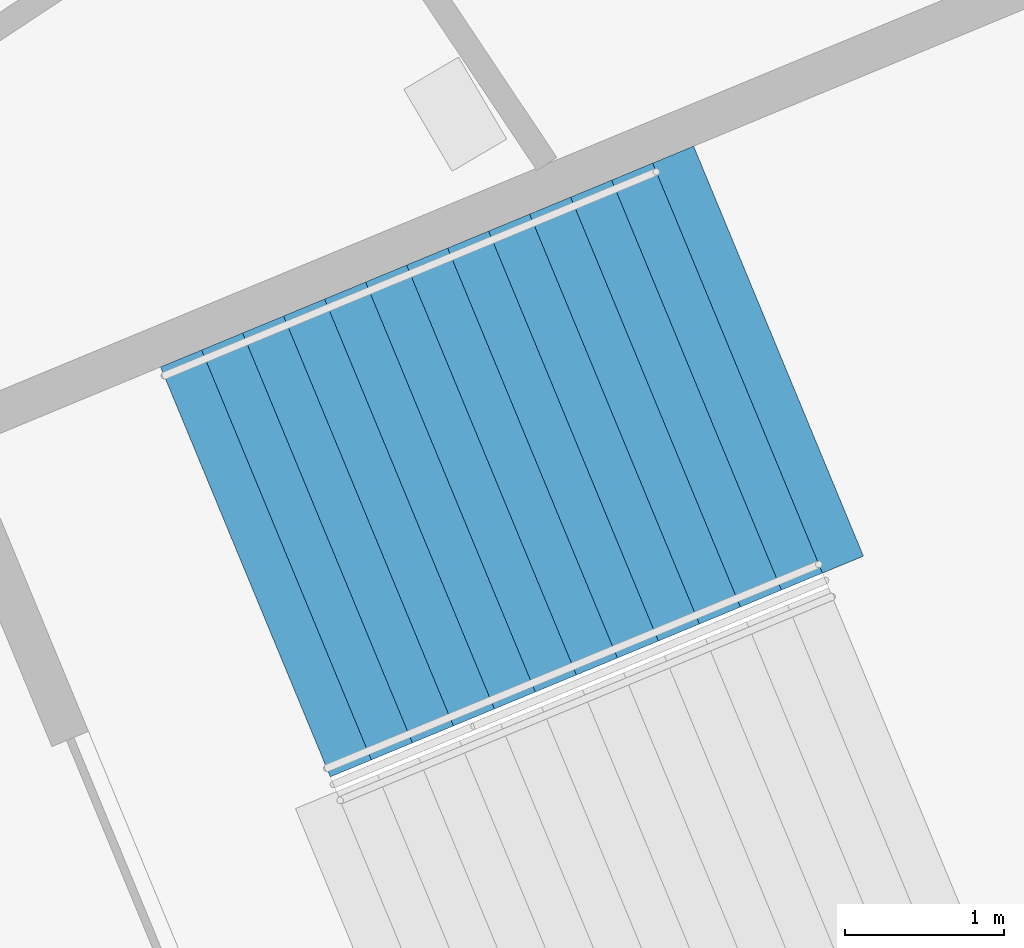
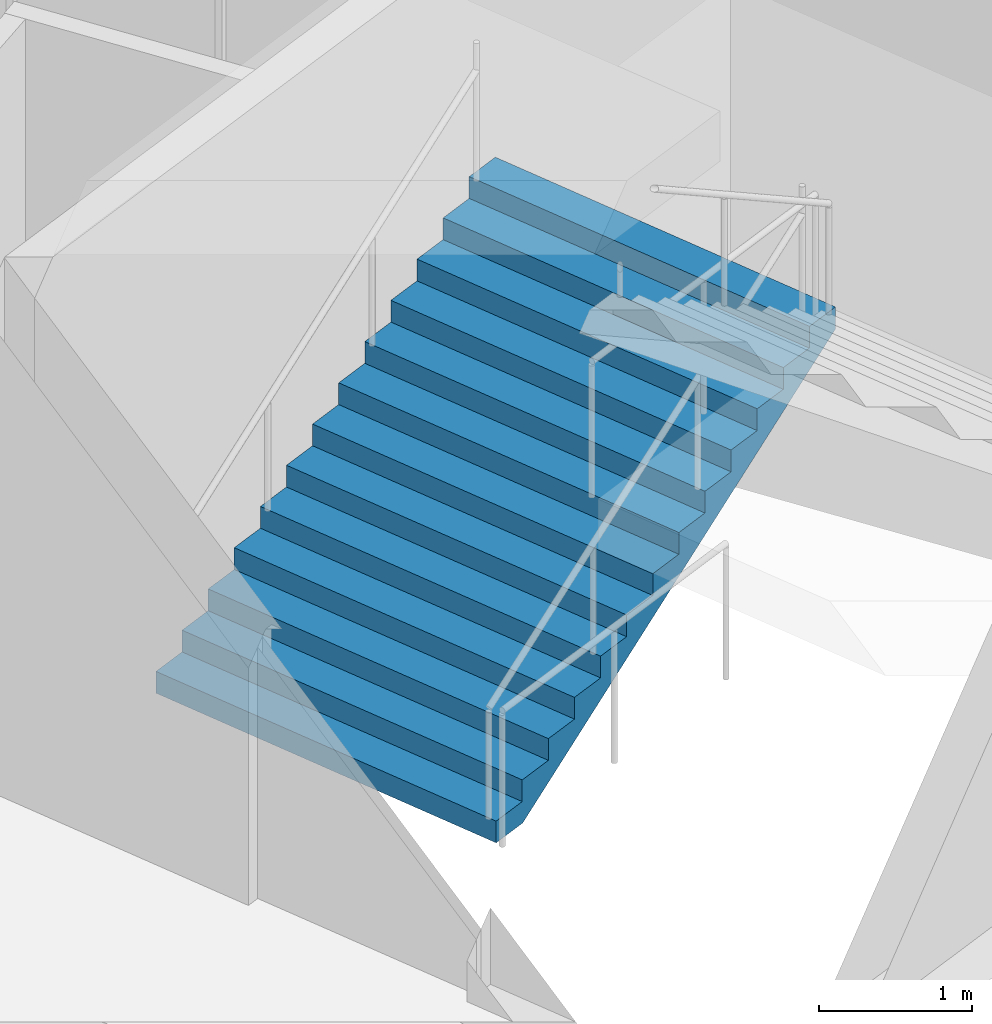
# One storey, part 158 of 177: 1 stair flight, 1 element without a shape of its own.
"""IFC4 building model written with IfcOpenShell, lengths in metres."""

from ifc_helpers import new_model, si_unit, direction, frame, origin, place, context, subcontext, project, spatial, faceted_brep, material, type_object, element, aggregate, save


model = new_model("IFC4")

# Units and contexts
model_context = context("Model", 3, precision=1e-05, world=origin(), true_north=direction((0.0, 1.0)))
body_context = subcontext(model_context, "Body", "Model", "MODEL_VIEW")
ifc_project = project(units=[si_unit("LENGTHUNIT", "METRE"), si_unit("AREAUNIT", "SQUARE_METRE"), si_unit("VOLUMEUNIT", "CUBIC_METRE"), si_unit("PLANEANGLEUNIT", "RADIAN"), si_unit("MASSUNIT", "GRAM", prefix="KILO")], contexts=[model_context])

# Site, building, storey
site_placement = place(None, origin())
site = spatial("IfcSite", under=ifc_project, at=site_placement, CompositionType="ELEMENT")
building_placement = place(site_placement, origin())
building = spatial("IfcBuilding", under=site, at=building_placement, Name="Ogive Plaza Stadium", CompositionType="ELEMENT")
storey_placement = place(building_placement, frame((0.0, 0.0, 18.0)))
storey = spatial("IfcBuildingStorey", under=building, at=storey_placement, Name="L04", CompositionType="ELEMENT", Elevation=18.0)

# Stair, stair flight
ifc_material_1 = material(Name="Concrete C40/50", Category="concrete")
stair_type = type_object("IfcStairType", Name="Exit stair", PredefinedType="STRAIGHT_RUN_STAIR", material=ifc_material_1)
stair_placement = place(storey_placement, origin())
stair = element("IfcStair", 1, at=stair_placement, inside=storey, type_object=stair_type, Name="Exit stair ST40B L04 to L05", PredefinedType="STRAIGHT_RUN_STAIR")
ifc_material_2 = material(Name="Concrete C40/50", Category="concrete")
stair_flight_type = type_object("IfcStairFlightType", Name="Exit stair flight", PredefinedType="STRAIGHT", material=ifc_material_2)
stair_flight_placement = place(storey_placement, frame((71.432861328125, 72.794921875, 0.0), z_axis=(0.0, 0.0, 1.0), x_axis=(0.923879532511, 0.382683432365, 0.0)))
stair_flight = element("IfcStairFlight", 2, at=stair_flight_placement, type_object=stair_flight_type, Name="ST40B flight 1", NumberOfRisers=13, NumberOfTreads=12, PredefinedType="STRAIGHT", RiserHeight=0.173076923, TreadLength=0.28, context=body_context, shape_type="Brep", body=[
    faceted_brep([(0.28515625, -1.39990234375, 0.0), (3.639892578125, -1.39990234375, 2.07373046875), (3.639892578125, -1.39990234375, 2.25), (3.360107421875, -1.39990234375, 2.25), (3.360107421875, -1.39990234375, 2.076904296875), (3.080078125, -1.39990234375, 2.076904296875), (3.080078125, -1.39990234375, 1.90380859375), (2.800048828125, -1.39990234375, 1.90380859375), (2.800048828125, -1.39990234375, 1.730712890625), (2.52001953125, -1.39990234375, 1.730712890625), (2.52001953125, -1.39990234375, 1.5576171875), (2.239990234375, -1.39990234375, 1.5576171875), (2.239990234375, -1.39990234375, 1.384521484375), (1.9599609375, -1.39990234375, 1.384521484375), (1.9599609375, -1.39990234375, 1.21142578125), (1.679931640625, -1.39990234375, 1.21142578125), (1.679931640625, -1.39990234375, 1.03857421875), (1.39990234375, -1.39990234375, 1.03857421875), (1.39990234375, -1.39990234375, 0.865478515625), (1.1201171875, -1.39990234375, 0.865478515625), (1.1201171875, -1.39990234375, 0.6923828125), (0.840087890625, -1.39990234375, 0.6923828125), (0.840087890625, -1.39990234375, 0.519287109375), (0.56005859375, -1.39990234375, 0.519287109375), (0.56005859375, -1.39990234375, 0.34619140625), (0.280029296875, -1.39990234375, 0.34619140625), (0.280029296875, -1.39990234375, 0.173095703125), (0.0, -1.39990234375, 0.173095703125), (0.0, -1.39990234375, 0.0), (0.0, 1.39990234375, 0.0), (0.0, 1.39990234375, 0.173095703125), (0.280029296875, 1.39990234375, 0.173095703125), (0.280029296875, 1.39990234375, 0.34619140625), (0.56005859375, 1.39990234375, 0.34619140625), (0.56005859375, 1.39990234375, 0.519287109375), (0.840087890625, 1.39990234375, 0.519287109375), (0.840087890625, 1.39990234375, 0.6923828125), (1.1201171875, 1.39990234375, 0.6923828125), (1.1201171875, 1.39990234375, 0.865478515625), (1.39990234375, 1.39990234375, 0.865478515625), (1.39990234375, 1.39990234375, 1.03857421875), (1.679931640625, 1.39990234375, 1.03857421875), (1.679931640625, 1.39990234375, 1.21142578125), (1.9599609375, 1.39990234375, 1.21142578125), (1.9599609375, 1.39990234375, 1.384521484375), (2.239990234375, 1.39990234375, 1.384521484375), (2.239990234375, 1.39990234375, 1.5576171875), (2.52001953125, 1.39990234375, 1.5576171875), (2.52001953125, 1.39990234375, 1.730712890625), (2.800048828125, 1.39990234375, 1.730712890625), (2.800048828125, 1.39990234375, 1.90380859375), (3.080078125, 1.39990234375, 1.90380859375), (3.080078125, 1.39990234375, 2.076904296875), (3.360107421875, 1.39990234375, 2.076904296875), (3.360107421875, 1.39990234375, 2.25), (3.639892578125, 1.39990234375, 2.25), (3.639892578125, 1.39990234375, 2.07373046875), (0.28515625, 1.39990234375, 0.0), (0.28515625, -1.0888671875, 0.0), (3.639892578125, -1.0888671875, 2.07373046875), (0.28515625, -0.77783203125, 0.0), (3.639892578125, -0.77783203125, 2.07373046875), (0.28515625, -0.466796875, 0.0), (3.639892578125, -0.466796875, 2.07373046875), (0.28515625, -0.155517578125, 0.0), (3.639892578125, -0.155517578125, 2.07373046875), (0.28515625, 0.155517578125, 0.0), (3.639892578125, 0.155517578125, 2.07373046875), (0.28515625, 0.466796875, 0.0), (3.639892578125, 0.466796875, 2.07373046875), (0.28515625, 0.77783203125, 0.0), (3.639892578125, 0.77783203125, 2.07373046875), (0.28515625, 1.0888671875, 0.0), (3.639892578125, 1.0888671875, 2.07373046875), (3.639892578125, -1.0888671875, 2.25), (3.639892578125, -0.77783203125, 2.25), (3.639892578125, -0.466796875, 2.25), (3.639892578125, -0.155517578125, 2.25), (3.639892578125, 0.155517578125, 2.25), (3.639892578125, 0.466796875, 2.25), (3.639892578125, 0.77783203125, 2.25), (3.639892578125, 1.0888671875, 2.25), (3.360107421875, -1.0888671875, 2.25), (3.360107421875, -0.77783203125, 2.25), (3.360107421875, -0.466796875, 2.25), (3.360107421875, -0.155517578125, 2.25), (3.360107421875, 0.155517578125, 2.25), (3.360107421875, 0.466796875, 2.25), (3.360107421875, 0.77783203125, 2.25), (3.360107421875, 1.0888671875, 2.25), (3.360107421875, -1.0888671875, 2.076904296875), (3.360107421875, -0.77783203125, 2.076904296875), (3.360107421875, -0.466796875, 2.076904296875), (3.360107421875, -0.155517578125, 2.076904296875), (3.360107421875, 0.155517578125, 2.076904296875), (3.360107421875, 0.466796875, 2.076904296875), (3.360107421875, 0.77783203125, 2.076904296875), (3.360107421875, 1.0888671875, 2.076904296875), (3.080078125, -1.0888671875, 2.076904296875), (3.080078125, -0.77783203125, 2.076904296875), (3.080078125, -0.466796875, 2.076904296875), (3.080078125, -0.155517578125, 2.076904296875), (3.080078125, 0.155517578125, 2.076904296875), (3.080078125, 0.466796875, 2.076904296875), (3.080078125, 0.77783203125, 2.076904296875), (3.080078125, 1.0888671875, 2.076904296875), (3.080078125, -1.0888671875, 1.90380859375), (3.080078125, -0.77783203125, 1.90380859375), (3.080078125, -0.466796875, 1.90380859375), (3.080078125, -0.155517578125, 1.90380859375), (3.080078125, 0.155517578125, 1.90380859375), (3.080078125, 0.466796875, 1.90380859375), (3.080078125, 0.77783203125, 1.90380859375), (3.080078125, 1.0888671875, 1.90380859375), (2.800048828125, -1.0888671875, 1.90380859375), (2.800048828125, -0.77783203125, 1.90380859375), (2.800048828125, -0.466796875, 1.90380859375), (2.800048828125, -0.155517578125, 1.90380859375), (2.800048828125, 0.155517578125, 1.90380859375), (2.800048828125, 0.466796875, 1.90380859375), (2.800048828125, 0.77783203125, 1.90380859375), (2.800048828125, 1.0888671875, 1.90380859375), (2.800048828125, -1.0888671875, 1.730712890625), (2.800048828125, -0.77783203125, 1.730712890625), (2.800048828125, -0.466796875, 1.730712890625), (2.800048828125, -0.155517578125, 1.730712890625), (2.800048828125, 0.155517578125, 1.730712890625), (2.800048828125, 0.466796875, 1.730712890625), (2.800048828125, 0.77783203125, 1.730712890625), (2.800048828125, 1.0888671875, 1.730712890625), (2.52001953125, -1.0888671875, 1.730712890625), (2.52001953125, -0.77783203125, 1.730712890625), (2.52001953125, -0.466796875, 1.730712890625), (2.52001953125, -0.155517578125, 1.730712890625), (2.52001953125, 0.155517578125, 1.730712890625), (2.52001953125, 0.466796875, 1.730712890625), (2.52001953125, 0.77783203125, 1.730712890625), (2.52001953125, 1.0888671875, 1.730712890625), (2.52001953125, -1.0888671875, 1.5576171875), (2.52001953125, -0.77783203125, 1.5576171875), (2.52001953125, -0.466796875, 1.5576171875), (2.52001953125, -0.155517578125, 1.5576171875), (2.52001953125, 0.155517578125, 1.5576171875), (2.52001953125, 0.466796875, 1.5576171875), (2.52001953125, 0.77783203125, 1.5576171875), (2.52001953125, 1.0888671875, 1.5576171875), (2.239990234375, -1.0888671875, 1.5576171875), (2.239990234375, -0.77783203125, 1.5576171875), (2.239990234375, -0.466796875, 1.5576171875), (2.239990234375, -0.155517578125, 1.5576171875), (2.239990234375, 0.155517578125, 1.5576171875), (2.239990234375, 0.466796875, 1.5576171875), (2.239990234375, 0.77783203125, 1.5576171875), (2.239990234375, 1.0888671875, 1.5576171875), (2.239990234375, -1.0888671875, 1.384521484375), (2.239990234375, -0.77783203125, 1.384521484375), (2.239990234375, -0.466796875, 1.384521484375), (2.239990234375, -0.155517578125, 1.384521484375), (2.239990234375, 0.155517578125, 1.384521484375), (2.239990234375, 0.466796875, 1.384521484375), (2.239990234375, 0.77783203125, 1.384521484375), (2.239990234375, 1.0888671875, 1.384521484375), (1.9599609375, -1.0888671875, 1.384521484375), (1.9599609375, -0.77783203125, 1.384521484375), (1.9599609375, -0.466796875, 1.384521484375), (1.9599609375, -0.155517578125, 1.384521484375), (1.9599609375, 0.155517578125, 1.384521484375), (1.9599609375, 0.466796875, 1.384521484375), (1.9599609375, 0.77783203125, 1.384521484375), (1.9599609375, 1.0888671875, 1.384521484375), (1.9599609375, -1.0888671875, 1.21142578125), (1.9599609375, -0.77783203125, 1.21142578125), (1.9599609375, -0.466796875, 1.21142578125), (1.9599609375, -0.155517578125, 1.21142578125), (1.9599609375, 0.155517578125, 1.21142578125), (1.9599609375, 0.466796875, 1.21142578125), (1.9599609375, 0.77783203125, 1.21142578125), (1.9599609375, 1.0888671875, 1.21142578125), (1.679931640625, -1.0888671875, 1.21142578125), (1.679931640625, -0.77783203125, 1.21142578125), (1.679931640625, -0.466796875, 1.21142578125), (1.679931640625, -0.155517578125, 1.21142578125), (1.679931640625, 0.155517578125, 1.21142578125), (1.679931640625, 0.466796875, 1.21142578125), (1.679931640625, 0.77783203125, 1.21142578125), (1.679931640625, 1.0888671875, 1.21142578125), (1.679931640625, -1.0888671875, 1.03857421875), (1.679931640625, -0.77783203125, 1.03857421875), (1.679931640625, -0.466796875, 1.03857421875), (1.679931640625, -0.155517578125, 1.03857421875), (1.679931640625, 0.155517578125, 1.03857421875), (1.679931640625, 0.466796875, 1.03857421875), (1.679931640625, 0.77783203125, 1.03857421875), (1.679931640625, 1.0888671875, 1.03857421875), (1.39990234375, -1.0888671875, 1.03857421875), (1.39990234375, -0.77783203125, 1.03857421875), (1.39990234375, -0.466796875, 1.03857421875), (1.39990234375, -0.155517578125, 1.03857421875), (1.39990234375, 0.155517578125, 1.03857421875), (1.39990234375, 0.466796875, 1.03857421875), (1.39990234375, 0.77783203125, 1.03857421875), (1.39990234375, 1.0888671875, 1.03857421875), (1.39990234375, -1.0888671875, 0.865478515625), (1.39990234375, -0.77783203125, 0.865478515625), (1.39990234375, -0.466796875, 0.865478515625), (1.39990234375, -0.155517578125, 0.865478515625), (1.39990234375, 0.155517578125, 0.865478515625), (1.39990234375, 0.466796875, 0.865478515625), (1.39990234375, 0.77783203125, 0.865478515625), (1.39990234375, 1.0888671875, 0.865478515625), (1.1201171875, -1.0888671875, 0.865478515625), (1.1201171875, -0.77783203125, 0.865478515625), (1.1201171875, -0.466796875, 0.865478515625), (1.1201171875, -0.155517578125, 0.865478515625), (1.1201171875, 0.155517578125, 0.865478515625), (1.1201171875, 0.466796875, 0.865478515625), (1.1201171875, 0.77783203125, 0.865478515625), (1.1201171875, 1.0888671875, 0.865478515625), (1.1201171875, -1.0888671875, 0.6923828125), (1.1201171875, -0.77783203125, 0.6923828125), (1.1201171875, -0.466796875, 0.6923828125), (1.1201171875, -0.155517578125, 0.6923828125), (1.1201171875, 0.155517578125, 0.6923828125), (1.1201171875, 0.466796875, 0.6923828125), (1.1201171875, 0.77783203125, 0.6923828125), (1.1201171875, 1.0888671875, 0.6923828125), (0.840087890625, -1.0888671875, 0.6923828125), (0.840087890625, -0.77783203125, 0.6923828125), (0.840087890625, -0.466796875, 0.6923828125), (0.840087890625, -0.155517578125, 0.6923828125), (0.840087890625, 0.155517578125, 0.6923828125), (0.840087890625, 0.466796875, 0.6923828125), (0.840087890625, 0.77783203125, 0.6923828125), (0.840087890625, 1.0888671875, 0.6923828125), (0.840087890625, -1.0888671875, 0.519287109375), (0.840087890625, -0.77783203125, 0.519287109375), (0.840087890625, -0.466796875, 0.519287109375), (0.840087890625, -0.155517578125, 0.519287109375), (0.840087890625, 0.155517578125, 0.519287109375), (0.840087890625, 0.466796875, 0.519287109375), (0.840087890625, 0.77783203125, 0.519287109375), (0.840087890625, 1.0888671875, 0.519287109375), (0.56005859375, -1.0888671875, 0.519287109375), (0.56005859375, -0.77783203125, 0.519287109375), (0.56005859375, -0.466796875, 0.519287109375), (0.56005859375, -0.155517578125, 0.519287109375), (0.56005859375, 0.155517578125, 0.519287109375), (0.56005859375, 0.466796875, 0.519287109375), (0.56005859375, 0.77783203125, 0.519287109375), (0.56005859375, 1.0888671875, 0.519287109375), (0.56005859375, -1.0888671875, 0.34619140625), (0.56005859375, -0.77783203125, 0.34619140625), (0.56005859375, -0.466796875, 0.34619140625), (0.56005859375, -0.155517578125, 0.34619140625), (0.56005859375, 0.155517578125, 0.34619140625), (0.56005859375, 0.466796875, 0.34619140625), (0.56005859375, 0.77783203125, 0.34619140625), (0.56005859375, 1.0888671875, 0.34619140625), (0.280029296875, -1.0888671875, 0.34619140625), (0.280029296875, -0.77783203125, 0.34619140625), (0.280029296875, -0.466796875, 0.34619140625), (0.280029296875, -0.155517578125, 0.34619140625), (0.280029296875, 0.155517578125, 0.34619140625), (0.280029296875, 0.466796875, 0.34619140625), (0.280029296875, 0.77783203125, 0.34619140625), (0.280029296875, 1.0888671875, 0.34619140625), (0.280029296875, -1.0888671875, 0.173095703125), (0.280029296875, -0.77783203125, 0.173095703125), (0.280029296875, -0.466796875, 0.173095703125), (0.280029296875, -0.155517578125, 0.173095703125), (0.280029296875, 0.155517578125, 0.173095703125), (0.280029296875, 0.466796875, 0.173095703125), (0.280029296875, 0.77783203125, 0.173095703125), (0.280029296875, 1.0888671875, 0.173095703125), (0.0, -1.0888671875, 0.173095703125), (0.0, -0.77783203125, 0.173095703125), (0.0, -0.466796875, 0.173095703125), (0.0, -0.155517578125, 0.173095703125), (0.0, 0.155517578125, 0.173095703125), (0.0, 0.466796875, 0.173095703125), (0.0, 0.77783203125, 0.173095703125), (0.0, 1.0888671875, 0.173095703125), (0.0, -1.0888671875, 0.0), (0.0, -0.77783203125, 0.0), (0.0, -0.466796875, 0.0), (0.0, -0.155517578125, 0.0), (0.0, 0.155517578125, 0.0), (0.0, 0.466796875, 0.0), (0.0, 0.77783203125, 0.0), (0.0, 1.0888671875, 0.0)], [[[0, 1, 2, 3, 4, 5, 6, 7, 8, 9, 10, 11, 12, 13, 14, 15, 16, 17, 18, 19, 20, 21, 22, 23, 24, 25, 26, 27, 28]], [[29, 30, 31, 32, 33, 34, 35, 36, 37, 38, 39, 40, 41, 42, 43, 44, 45, 46, 47, 48, 49, 50, 51, 52, 53, 54, 55, 56, 57]], [[0, 58, 59, 1]], [[58, 60, 61, 59]], [[60, 62, 63, 61]], [[62, 64, 65, 63]], [[64, 66, 67, 65]], [[66, 68, 69, 67]], [[68, 70, 71, 69]], [[70, 72, 73, 71]], [[72, 57, 56, 73]], [[1, 59, 74, 2]], [[59, 61, 75, 74]], [[61, 63, 76, 75]], [[63, 65, 77, 76]], [[65, 67, 78, 77]], [[67, 69, 79, 78]], [[69, 71, 80, 79]], [[71, 73, 81, 80]], [[73, 56, 55, 81]], [[2, 74, 82, 3]], [[74, 75, 83, 82]], [[75, 76, 84, 83]], [[76, 77, 85, 84]], [[77, 78, 86, 85]], [[78, 79, 87, 86]], [[79, 80, 88, 87]], [[80, 81, 89, 88]], [[81, 55, 54, 89]], [[3, 82, 90, 4]], [[82, 83, 91, 90]], [[83, 84, 92, 91]], [[84, 85, 93, 92]], [[85, 86, 94, 93]], [[86, 87, 95, 94]], [[87, 88, 96, 95]], [[88, 89, 97, 96]], [[89, 54, 53, 97]], [[4, 90, 98, 5]], [[90, 91, 99, 98]], [[91, 92, 100, 99]], [[92, 93, 101, 100]], [[93, 94, 102, 101]], [[94, 95, 103, 102]], [[95, 96, 104, 103]], [[96, 97, 105, 104]], [[97, 53, 52, 105]], [[5, 98, 106, 6]], [[98, 99, 107, 106]], [[99, 100, 108, 107]], [[100, 101, 109, 108]], [[101, 102, 110, 109]], [[102, 103, 111, 110]], [[103, 104, 112, 111]], [[104, 105, 113, 112]], [[105, 52, 51, 113]], [[6, 106, 114, 7]], [[106, 107, 115, 114]], [[107, 108, 116, 115]], [[108, 109, 117, 116]], [[109, 110, 118, 117]], [[110, 111, 119, 118]], [[111, 112, 120, 119]], [[112, 113, 121, 120]], [[113, 51, 50, 121]], [[7, 114, 122, 8]], [[114, 115, 123, 122]], [[115, 116, 124, 123]], [[116, 117, 125, 124]], [[117, 118, 126, 125]], [[118, 119, 127, 126]], [[119, 120, 128, 127]], [[120, 121, 129, 128]], [[121, 50, 49, 129]], [[8, 122, 130, 9]], [[122, 123, 131, 130]], [[123, 124, 132, 131]], [[124, 125, 133, 132]], [[125, 126, 134, 133]], [[126, 127, 135, 134]], [[127, 128, 136, 135]], [[128, 129, 137, 136]], [[129, 49, 48, 137]], [[9, 130, 138, 10]], [[130, 131, 139, 138]], [[131, 132, 140, 139]], [[132, 133, 141, 140]], [[133, 134, 142, 141]], [[134, 135, 143, 142]], [[135, 136, 144, 143]], [[136, 137, 145, 144]], [[137, 48, 47, 145]], [[10, 138, 146, 11]], [[138, 139, 147, 146]], [[139, 140, 148, 147]], [[140, 141, 149, 148]], [[141, 142, 150, 149]], [[142, 143, 151, 150]], [[143, 144, 152, 151]], [[144, 145, 153, 152]], [[145, 47, 46, 153]], [[11, 146, 154, 12]], [[146, 147, 155, 154]], [[147, 148, 156, 155]], [[148, 149, 157, 156]], [[149, 150, 158, 157]], [[150, 151, 159, 158]], [[151, 152, 160, 159]], [[152, 153, 161, 160]], [[153, 46, 45, 161]], [[12, 154, 162, 13]], [[154, 155, 163, 162]], [[155, 156, 164, 163]], [[156, 157, 165, 164]], [[157, 158, 166, 165]], [[158, 159, 167, 166]], [[159, 160, 168, 167]], [[160, 161, 169, 168]], [[161, 45, 44, 169]], [[13, 162, 170, 14]], [[162, 163, 171, 170]], [[163, 164, 172, 171]], [[164, 165, 173, 172]], [[165, 166, 174, 173]], [[166, 167, 175, 174]], [[167, 168, 176, 175]], [[168, 169, 177, 176]], [[169, 44, 43, 177]], [[14, 170, 178, 15]], [[170, 171, 179, 178]], [[171, 172, 180, 179]], [[172, 173, 181, 180]], [[173, 174, 182, 181]], [[174, 175, 183, 182]], [[175, 176, 184, 183]], [[176, 177, 185, 184]], [[177, 43, 42, 185]], [[15, 178, 186, 16]], [[178, 179, 187, 186]], [[179, 180, 188, 187]], [[180, 181, 189, 188]], [[181, 182, 190, 189]], [[182, 183, 191, 190]], [[183, 184, 192, 191]], [[184, 185, 193, 192]], [[185, 42, 41, 193]], [[16, 186, 194, 17]], [[186, 187, 195, 194]], [[187, 188, 196, 195]], [[188, 189, 197, 196]], [[189, 190, 198, 197]], [[190, 191, 199, 198]], [[191, 192, 200, 199]], [[192, 193, 201, 200]], [[193, 41, 40, 201]], [[17, 194, 202, 18]], [[194, 195, 203, 202]], [[195, 196, 204, 203]], [[196, 197, 205, 204]], [[197, 198, 206, 205]], [[198, 199, 207, 206]], [[199, 200, 208, 207]], [[200, 201, 209, 208]], [[201, 40, 39, 209]], [[18, 202, 210, 19]], [[202, 203, 211, 210]], [[203, 204, 212, 211]], [[204, 205, 213, 212]], [[205, 206, 214, 213]], [[206, 207, 215, 214]], [[207, 208, 216, 215]], [[208, 209, 217, 216]], [[209, 39, 38, 217]], [[19, 210, 218, 20]], [[210, 211, 219, 218]], [[211, 212, 220, 219]], [[212, 213, 221, 220]], [[213, 214, 222, 221]], [[214, 215, 223, 222]], [[215, 216, 224, 223]], [[216, 217, 225, 224]], [[217, 38, 37, 225]], [[20, 218, 226, 21]], [[218, 219, 227, 226]], [[219, 220, 228, 227]], [[220, 221, 229, 228]], [[221, 222, 230, 229]], [[222, 223, 231, 230]], [[223, 224, 232, 231]], [[224, 225, 233, 232]], [[225, 37, 36, 233]], [[21, 226, 234, 22]], [[226, 227, 235, 234]], [[227, 228, 236, 235]], [[228, 229, 237, 236]], [[229, 230, 238, 237]], [[230, 231, 239, 238]], [[231, 232, 240, 239]], [[232, 233, 241, 240]], [[233, 36, 35, 241]], [[22, 234, 242, 23]], [[234, 235, 243, 242]], [[235, 236, 244, 243]], [[236, 237, 245, 244]], [[237, 238, 246, 245]], [[238, 239, 247, 246]], [[239, 240, 248, 247]], [[240, 241, 249, 248]], [[241, 35, 34, 249]], [[23, 242, 250, 24]], [[242, 243, 251, 250]], [[243, 244, 252, 251]], [[244, 245, 253, 252]], [[245, 246, 254, 253]], [[246, 247, 255, 254]], [[247, 248, 256, 255]], [[248, 249, 257, 256]], [[249, 34, 33, 257]], [[24, 250, 258, 25]], [[250, 251, 259, 258]], [[251, 252, 260, 259]], [[252, 253, 261, 260]], [[253, 254, 262, 261]], [[254, 255, 263, 262]], [[255, 256, 264, 263]], [[256, 257, 265, 264]], [[257, 33, 32, 265]], [[25, 258, 266, 26]], [[258, 259, 267, 266]], [[259, 260, 268, 267]], [[260, 261, 269, 268]], [[261, 262, 270, 269]], [[262, 263, 271, 270]], [[263, 264, 272, 271]], [[264, 265, 273, 272]], [[265, 32, 31, 273]], [[26, 266, 274, 27]], [[266, 267, 275, 274]], [[267, 268, 276, 275]], [[268, 269, 277, 276]], [[269, 270, 278, 277]], [[270, 271, 279, 278]], [[271, 272, 280, 279]], [[272, 273, 281, 280]], [[273, 31, 30, 281]], [[27, 274, 282, 28]], [[274, 275, 283, 282]], [[275, 276, 284, 283]], [[276, 277, 285, 284]], [[277, 278, 286, 285]], [[278, 279, 287, 286]], [[279, 280, 288, 287]], [[280, 281, 289, 288]], [[281, 30, 29, 289]], [[28, 282, 58, 0]], [[282, 283, 60, 58]], [[283, 284, 62, 60]], [[284, 285, 64, 62]], [[285, 286, 66, 64]], [[286, 287, 68, 66]], [[287, 288, 70, 68]], [[288, 289, 72, 70]], [[289, 29, 57, 72]]]),
])
aggregate(stair, [stair_flight])

save(model, "model.ifc")
